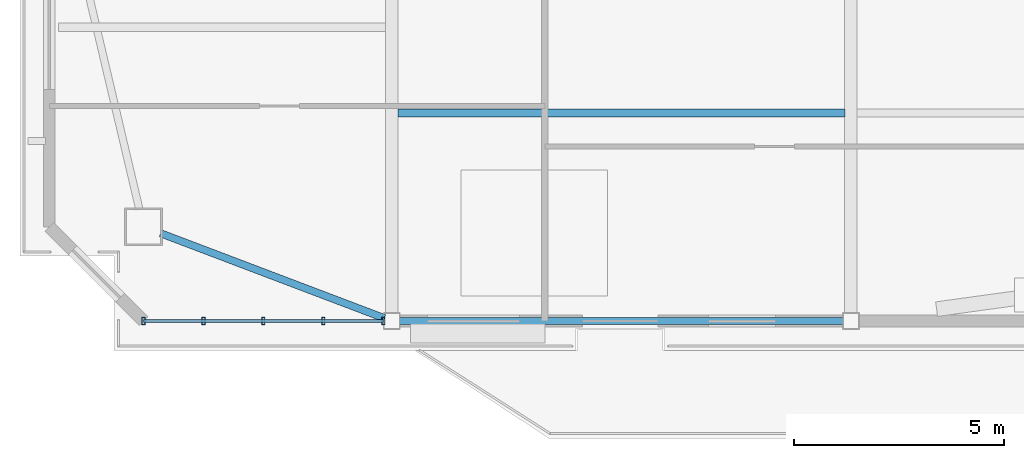
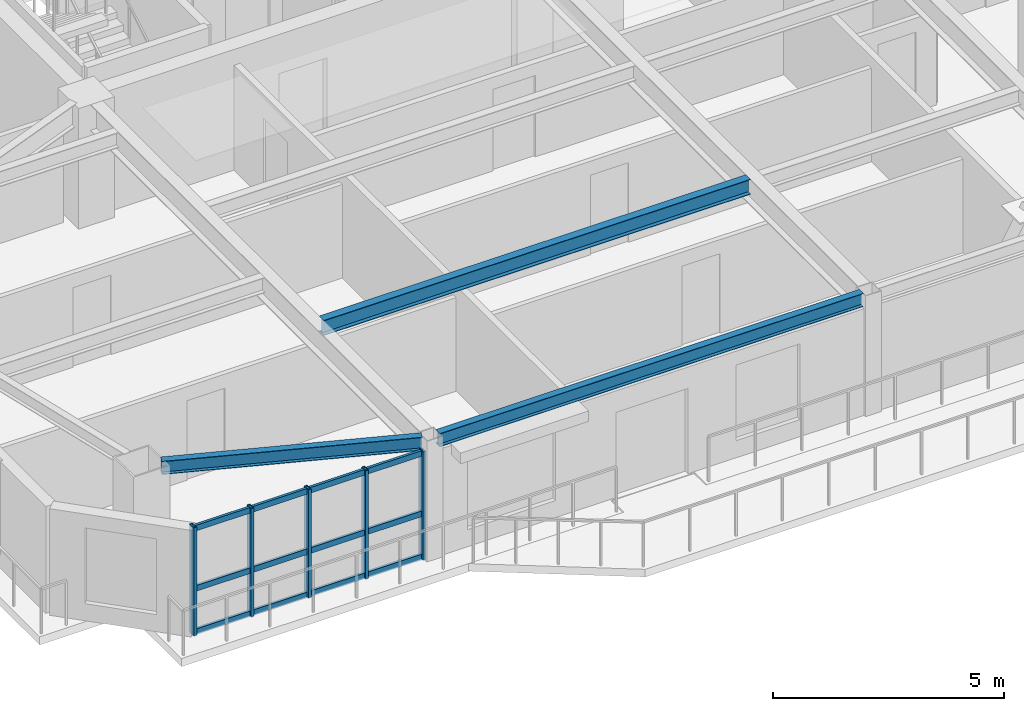
# One storey, part 2 of 12: 8 members, 3 beams, 1 element without a shape of its own.
"""IFC4 building model written with IfcOpenShell, lengths in metres."""

import ifcopenshell
import ifcopenshell.guid

model = None  # the IFC model being written
_history = None  # IfcOwnerHistory: only IFC2X3 demands one
_inside = {}  # id of a spatial element -> (the spatial element, [elements in it])
_under = {}  # id of a project, library or spatial element -> (it, [spatial elements below it])
_declared = {}  # id of a project -> (the project, [libraries it declares])
_typed = {}  # id of a type object -> (the type object, [elements of that type])
_made_of = {}  # id of a material, layer set ... -> (it, [elements and type objects made of it])


def new_model(schema):
    """Start an empty IFC model of exactly this schema.

    Asked for "IFC4X3", IfcOpenShell would pick the latest addendum, in which some entities
    have other attributes; the version numbers below select the first issue.
    IFC2X3 requires an IfcOwnerHistory on every rooted entity: one is made here for all.
    """
    global model, _history
    if schema == "IFC4X3":
        model = ifcopenshell.file(schema_version=(4, 3, 0, 0))
    else:
        model = ifcopenshell.file(schema=schema)
    _inside.clear()
    _under.clear()
    _declared.clear()
    _typed.clear()
    _made_of.clear()
    _history = None
    if model.schema == "IFC2X3":
        org = make("IfcOrganization", Name="unknown")
        user = make(
            "IfcPersonAndOrganization",
            ThePerson=make("IfcPerson", FamilyName="unknown"),
            TheOrganization=org,
        )
        app = make(
            "IfcApplication",
            ApplicationDeveloper=org,
            Version="unknown",
            ApplicationFullName="unknown",
            ApplicationIdentifier="unknown",
        )
        _history = make(
            "IfcOwnerHistory",
            OwningUser=user,
            OwningApplication=app,
            ChangeAction="ADDED",
            CreationDate=0,
        )
    return model


def make(cls, **values):
    """One entity of the class cls with the attributes given. An attribute that is None is left unset."""
    return model.create_entity(
        cls, **{name: value for name, value in values.items() if value is not None}
    )


def rooted(cls, **values):
    """An entity with a GlobalId (a new one), such as an element, a storey or a relation."""
    return make(cls, GlobalId=ifcopenshell.guid.new(), OwnerHistory=_history, **values)


def si_unit(unit_type, name, prefix=None):
    """IfcSIUnit, for example si_unit("LENGTHUNIT", "METRE", prefix="MILLI")."""
    return make("IfcSIUnit", UnitType=unit_type, Prefix=prefix, Name=name)


def assignment(units):
    """IfcUnitAssignment: the units of a project."""
    return None if units is None else make("IfcUnitAssignment", Units=units)


def point(xyz):
    """IfcCartesianPoint."""
    return None if xyz is None else make("IfcCartesianPoint", Coordinates=xyz)


def direction(xyz):
    """IfcDirection."""
    return None if xyz is None else make("IfcDirection", DirectionRatios=xyz)


def frame(location, z_axis=None, x_axis=None):
    """IfcAxis2Placement3D, a coordinate frame: its origin and axes. An axis left out is left unset."""
    return make(
        "IfcAxis2Placement3D",
        Location=point(location),
        Axis=direction(z_axis),
        RefDirection=direction(x_axis),
    )


def frame_2d(location, x_axis=None):
    """IfcAxis2Placement2D, a coordinate frame in the plane: its origin and x axis."""
    return make(
        "IfcAxis2Placement2D", Location=point(location), RefDirection=direction(x_axis)
    )


def origin():
    """The frame at (0, 0, 0) with its axes left unset."""
    return frame((0.0, 0.0, 0.0))


def origin_2d():
    """The frame at (0, 0) in the plane with its x axis left unset."""
    return frame_2d((0.0, 0.0))


def place(relative_to, where):
    """IfcLocalPlacement: puts the frame where relative to a parent placement (None: the world)."""
    return make(
        "IfcLocalPlacement", PlacementRelTo=relative_to, RelativePlacement=where
    )


def context(
    kind, dimensions, precision=None, world=None, true_north=None, identifier=None
):
    """IfcGeometricRepresentationContext, for example the 3D "Model" context."""
    return make(
        "IfcGeometricRepresentationContext",
        ContextIdentifier=identifier,
        ContextType=kind,
        CoordinateSpaceDimension=dimensions,
        Precision=precision,
        WorldCoordinateSystem=world,
        TrueNorth=true_north,
    )


def subcontext(parent, identifier, kind, view, scale=None):
    """IfcGeometricRepresentationSubContext, for example "Body" below "Model"."""
    return make(
        "IfcGeometricRepresentationSubContext",
        ContextIdentifier=identifier,
        ContextType=kind,
        ParentContext=parent,
        TargetScale=scale,
        TargetView=view,
    )


def project(units=None, contexts=None):
    """IfcProject with its units and contexts."""
    return rooted(
        "IfcProject",
        Name="project",
        RepresentationContexts=contexts,
        UnitsInContext=assignment(units),
    )


def spatial(cls, under=None, at=None, **own):
    """A site, building, storey or space (cls), placed at a placement, below another one or the project."""
    s = rooted(cls, ObjectPlacement=at, **own)
    if under is not None:
        _under.setdefault(under.id(), (under, []))[1].append(s)
    return s


def profile(cls, at=None, kind="AREA", **sizes):
    """A parametric profile (cls). Its sizes go by their IFC names, for example OverallWidth=200.0."""
    return make(cls, ProfileType=kind, Position=at, **sizes)


def hollow_rectangle(**sizes):
    """IfcRectangleHollowProfileDef."""
    return profile("IfcRectangleHollowProfileDef", **sizes)


def i_section(**sizes):
    """IfcIShapeProfileDef."""
    return profile("IfcIShapeProfileDef", **sizes)


def extrude(swept, where, along, depth):
    """IfcExtrudedAreaSolid: the profile swept, set in the frame where, extruded along a direction by depth."""
    return make(
        "IfcExtrudedAreaSolid",
        SweptArea=swept,
        Position=where,
        ExtrudedDirection=direction(along),
        Depth=depth,
    )


def shape(context_of_items, identifier, shape_type, items):
    """IfcShapeRepresentation: the items that make up one representation, for example the "Body"."""
    return make(
        "IfcShapeRepresentation",
        ContextOfItems=context_of_items,
        RepresentationIdentifier=identifier,
        RepresentationType=shape_type,
        Items=items,
    )


def source(mapping_origin, context_of_items, identifier, shape_type, items):
    """IfcRepresentationMap: a shape defined once, which mapped items show again and again."""
    return make(
        "IfcRepresentationMap",
        MappingOrigin=mapping_origin,
        MappedRepresentation=shape(context_of_items, identifier, shape_type, items),
    )


def transform(
    local_origin,
    x_axis=None,
    y_axis=None,
    z_axis=None,
    scale=None,
    scale2=None,
    scale3=None,
    uniform=True,
):
    """IfcCartesianTransformationOperator3D, or its non-uniform kind. x_axis, y_axis, z_axis: its Axis1, 2, 3."""
    if uniform:
        return make(
            "IfcCartesianTransformationOperator3D",
            Axis1=direction(x_axis),
            Axis2=direction(y_axis),
            LocalOrigin=point(local_origin),
            Scale=scale,
            Axis3=direction(z_axis),
        )
    return make(
        "IfcCartesianTransformationOperator3DnonUniform",
        Axis1=direction(x_axis),
        Axis2=direction(y_axis),
        LocalOrigin=point(local_origin),
        Scale=scale,
        Axis3=direction(z_axis),
        Scale2=scale2,
        Scale3=scale3,
    )


def mapped(mapping_source, mapping_target):
    """IfcMappedItem: shows the shape of a source again, moved by a transform."""
    return make(
        "IfcMappedItem", MappingSource=mapping_source, MappingTarget=mapping_target
    )


def material(Name=None, Category=None):
    """IfcMaterial."""
    return make("IfcMaterial", Name=Name, Category=Category)


def layer(
    of_material, thickness, ventilated=None, Name=None, Category=None, Priority=None
):
    """IfcMaterialLayer: one layer of a wall or slab, of a material (None: an air gap)."""
    return make(
        "IfcMaterialLayer",
        Material=of_material,
        LayerThickness=thickness,
        IsVentilated=ventilated,
        Name=Name,
        Category=Category,
        Priority=Priority,
    )


def layer_set(layers, Name=None):
    """IfcMaterialLayerSet."""
    return make("IfcMaterialLayerSet", MaterialLayers=layers, LayerSetName=Name)


def material_profile(
    of_material, cross_section, Name=None, Category=None, Priority=None
):
    """IfcMaterialProfile: a cross section and its material."""
    return make(
        "IfcMaterialProfile",
        Name=Name,
        Material=of_material,
        Profile=cross_section,
        Priority=Priority,
        Category=Category,
    )


def profile_set(profiles, Name=None, composite=None):
    """IfcMaterialProfileSet."""
    return make(
        "IfcMaterialProfileSet",
        Name=Name,
        MaterialProfiles=profiles,
        CompositeProfile=composite,
    )


def made_of(thing, what):
    """Note that an element or type object is made of a material, layer set ...; save() writes the relation."""
    if what is not None:
        _made_of.setdefault(what.id(), (what, []))[1].append(thing)
    return thing


def type_object(cls, material=None, **own):
    """A type object (cls), such as IfcWallType, which elements share."""
    return made_of(rooted(cls, **own), material)


def element(
    cls,
    number,
    at=None,
    inside=None,
    cuts=None,
    type_object=None,
    material=None,
    context=None,
    identifier="Body",
    shape_type=None,
    held_by="IfcProductDefinitionShape",
    body=None,
    shapes=None,
    **own,
):
    """One element of the class cls, such as IfcWall. Its Tag is "e" and its number.

    at: its placement. inside: the storey or other place that contains it. cuts: it is an
    opening in that element (IfcRelVoidsElement). A single representation is given by context,
    identifier, shape_type and body (its items); several are given by shapes. held_by: the class
    of the entity that holds the representations. save() writes the other relations.
    """
    e = rooted(cls, Tag="e%d" % number, ObjectPlacement=at, **own)
    if body is not None:
        shapes = [shape(context, identifier, shape_type, body)]
    if shapes is not None:
        e.Representation = make(held_by, Representations=shapes)
    if inside is not None:
        _inside.setdefault(inside.id(), (inside, []))[1].append(e)
    if cuts is not None:
        rooted(
            "IfcRelVoidsElement", RelatingBuildingElement=cuts, RelatedOpeningElement=e
        )
    if type_object is not None:
        _typed.setdefault(type_object.id(), (type_object, []))[1].append(e)
    return made_of(e, material)


def aggregate(whole, parts):
    """IfcRelAggregates: a whole, such as a stair, and the parts it consists of."""
    return rooted("IfcRelAggregates", RelatingObject=whole, RelatedObjects=parts)


def save(model, path):
    """Write the relations noted so far, then the file.

    IfcRelAggregates (storeys below a building ...), IfcRelContainedInSpatialStructure (elements
    in a storey), IfcRelDefinesByType, IfcRelAssociatesMaterial and IfcRelDeclares: one each for
    every whole, place, type object, material and project.
    """
    for whole, parts in _under.values():
        aggregate(whole, parts)
    for where, things in _inside.values():
        rooted(
            "IfcRelContainedInSpatialStructure",
            RelatedElements=things,
            RelatingStructure=where,
        )
    for kind, things in _typed.values():
        rooted("IfcRelDefinesByType", RelatedObjects=things, RelatingType=kind)
    for what, things in _made_of.values():
        rooted("IfcRelAssociatesMaterial", RelatedObjects=things, RelatingMaterial=what)
    for by, libraries in _declared.values():
        rooted("IfcRelDeclares", RelatingContext=by, RelatedDefinitions=libraries)
    model.write(path)


model = new_model("IFC4")

# Units and contexts
model_context = context("Model", 3, precision=1e-05, world=origin(), true_north=direction((0.0, 1.0)))
body_context = subcontext(model_context, "Body", "Model", "MODEL_VIEW")
ifc_project = project(units=[si_unit("LENGTHUNIT", "METRE"), si_unit("AREAUNIT", "SQUARE_METRE"), si_unit("VOLUMEUNIT", "CUBIC_METRE"), si_unit("PLANEANGLEUNIT", "RADIAN"), si_unit("MASSUNIT", "GRAM", prefix="KILO")], contexts=[model_context])

# Site, building, storey
site_placement = place(None, origin())
site = spatial("IfcSite", under=ifc_project, at=site_placement, CompositionType="ELEMENT")
building_placement = place(site_placement, origin())
building = spatial("IfcBuilding", under=site, at=building_placement, Name="Giltprow Tower", CompositionType="ELEMENT")
storey_placement = place(building_placement, frame((0.0, 0.0, 339.10009765625)))
storey = spatial("IfcBuildingStorey", under=building, at=storey_placement, Name="L88", CompositionType="ELEMENT", Elevation=339.10009765625)

# Beams
ifc_material_1 = material(Name="Structural steel Q355B", Category="steel")
ifc_material_profile_1 = material_profile(ifc_material_1, i_section(OverallWidth=0.199951171875, OverallDepth=0.39990234375, WebThickness=0.008056640625, FlangeThickness=0.012939453125, at=origin_2d()), Name="HN 400x200x8x13")
ifc_profile_set_1 = profile_set([ifc_material_profile_1], Name="Structural steel Q355B")
beam_type_1 = type_object("IfcBeamType", Name="BM-JOIST-HN400", PredefinedType="JOIST", material=ifc_profile_set_1)
shared_shape_1 = source(origin(), body_context, "Body", "SweptSolid", [
    extrude(i_section(OverallWidth=0.199951171875, OverallDepth=0.39990234375, WebThickness=0.008056640625, FlangeThickness=0.012939453125, at=origin_2d()), origin(), (0.0, 0.0, 1.0), 10.659912109375),
])
beam_1_placement = place(storey_placement, frame((19.9951171875, 27.529052734375, 2.98486328125), z_axis=(1.0, 0.0, 0.0), x_axis=(0.0, 1.0, 0.0)))
element("IfcBeam", 1, at=beam_1_placement, inside=storey, type_object=beam_type_1, Name="L88 Composite Floor Joist 1-1", PredefinedType="JOIST", context=body_context, shape_type="MappedRepresentation", body=[
    mapped(shared_shape_1, transform((0.0, 0.0, 0.0), x_axis=(1.0, 0.0, 0.0), y_axis=(0.0, 1.0, 0.0), z_axis=(0.0, 0.0, 1.0), scale=1.0)),
])
ifc_material_profile_2 = material_profile(ifc_material_1, i_section(OverallWidth=0.175048828125, OverallDepth=0.35009765625, WebThickness=0.007080078125, FlangeThickness=0.010986328125, at=origin_2d()), Name="HN 350x175x7x11")
ifc_profile_set_2 = profile_set([ifc_material_profile_2], Name="Structural steel Q355B")
beam_type_2 = type_object("IfcBeamType", Name="BM-SPAN-HN350", PredefinedType="SPANDREL", material=ifc_profile_set_2)
shared_shape_2 = source(origin(), body_context, "Body", "SweptSolid", [
    extrude(i_section(OverallWidth=0.175048828125, OverallDepth=0.35009765625, WebThickness=0.007080078125, FlangeThickness=0.010986328125, at=origin_2d()), origin(), (0.0, 0.0, 1.0), 10.580078125),
])
beam_2_placement = place(storey_placement, frame((20.034912109375, 22.568115234375, 3.010009765625), z_axis=(1.0, 0.0, 0.0), x_axis=(0.0, 1.0, 0.0)))
element("IfcBeam", 2, at=beam_2_placement, inside=storey, type_object=beam_type_2, Name="L88 Perimeter Spandrel Beam S1-S2", PredefinedType="SPANDREL", context=body_context, shape_type="MappedRepresentation", body=[
    mapped(shared_shape_2, transform((0.0, 0.0, 0.0), x_axis=(1.0, 0.0, 0.0), y_axis=(0.0, 1.0, 0.0), z_axis=(0.0, 0.0, 1.0), scale=1.0)),
])
shared_shape_3 = source(origin(), body_context, "Body", "SweptSolid", [
    extrude(i_section(OverallWidth=0.175048828125, OverallDepth=0.35009765625, WebThickness=0.007080078125, FlangeThickness=0.010986328125, at=origin_2d()), origin(), (0.0, 0.0, 1.0), 5.71044921875),
])
beam_3_placement = place(storey_placement, frame((14.337890625, 24.659912109375, 3.010009765625), z_axis=(0.934956945211, -0.354761202221, 0.0), x_axis=(0.354761202221, 0.934956945211, 0.0)))
element("IfcBeam", 3, at=beam_3_placement, inside=storey, type_object=beam_type_2, Name="L88 Perimeter Spandrel Beam MC_SW-S1", PredefinedType="SPANDREL", context=body_context, shape_type="MappedRepresentation", body=[
    mapped(shared_shape_3, transform((0.0, 0.0, 0.0), x_axis=(1.0, 0.0, 0.0), y_axis=(0.0, 1.0, 0.0), z_axis=(0.0, 0.0, 1.0), scale=1.0)),
])

# Curtain wall, members
ifc_material_2 = material(Name="Anodized bronze", Category="metal")
ifc_layer = layer(ifc_material_2, 0.179931640625, Name="Anodized bronze")
ifc_layer_set = layer_set([ifc_layer], Name="Anodized bronze")
curtain_wall_type = type_object("IfcCurtainWallType", Name="CW-RES-SKY", PredefinedType="NOTDEFINED", material=ifc_layer_set)
curtain_wall_placement = place(storey_placement, origin())
curtain_wall = element("IfcCurtainWall", 4, at=curtain_wall_placement, inside=storey, type_object=curtain_wall_type, Name="L88 South Recessed Curtain Wall 1", PredefinedType="NOTDEFINED")
ifc_material_profile_3 = material_profile(ifc_material_2, hollow_rectangle(XDim=0.074951171875, YDim=0.179931640625, WallThickness=0.008056640625, at=origin_2d()), Name="RHS 180x75x8")
ifc_profile_set_3 = profile_set([ifc_material_profile_3], Name="Anodized bronze")
member_type_1 = type_object("IfcMemberType", Name="CW-MULLION-180x75", PredefinedType="MULLION", material=ifc_profile_set_3)
shared_shape_4 = source(origin(), body_context, "Body", "SweptSolid", [
    extrude(hollow_rectangle(XDim=0.074951171875, YDim=0.179931640625, WallThickness=0.008056640625, at=origin_2d()), origin(), (0.0, 0.0, 1.0), 2.869873046875),
])
member_1_placement = place(storey_placement, frame((13.930908203125, 22.568115234375, -0.02001953125), z_axis=(0.0, 0.0, 1.0), x_axis=(1.0, 0.0, 0.0)))
member_1 = element("IfcMember", 5, at=member_1_placement, type_object=member_type_1, Name="L88 South Recessed Curtain Wall 1 Mullion 1", PredefinedType="MULLION", context=body_context, shape_type="MappedRepresentation", body=[
    mapped(shared_shape_4, transform((0.0, 0.0, 0.0), x_axis=(1.0, 0.0, 0.0), y_axis=(0.0, 1.0, 0.0), z_axis=(0.0, 0.0, 1.0), scale=1.0)),
])
member_2_placement = place(storey_placement, frame((15.361083984375, 22.568115234375, -0.02001953125), z_axis=(0.0, 0.0, 1.0), x_axis=(1.0, 0.0, 0.0)))
member_2 = element("IfcMember", 6, at=member_2_placement, type_object=member_type_1, Name="L88 South Recessed Curtain Wall 1 Mullion 2", PredefinedType="MULLION", context=body_context, shape_type="MappedRepresentation", body=[
    mapped(shared_shape_4, transform((0.0, 0.0, 0.0), x_axis=(1.0, 0.0, 0.0), y_axis=(0.0, 1.0, 0.0), z_axis=(0.0, 0.0, 1.0), scale=1.0)),
])
member_3_placement = place(storey_placement, frame((16.7900390625, 22.568115234375, -0.02001953125), z_axis=(0.0, 0.0, 1.0), x_axis=(1.0, 0.0, 0.0)))
member_3 = element("IfcMember", 7, at=member_3_placement, type_object=member_type_1, Name="L88 South Recessed Curtain Wall 1 Mullion 3", PredefinedType="MULLION", context=body_context, shape_type="MappedRepresentation", body=[
    mapped(shared_shape_4, transform((0.0, 0.0, 0.0), x_axis=(1.0, 0.0, 0.0), y_axis=(0.0, 1.0, 0.0), z_axis=(0.0, 0.0, 1.0), scale=1.0)),
])
member_4_placement = place(storey_placement, frame((18.219970703125, 22.568115234375, -0.02001953125), z_axis=(0.0, 0.0, 1.0), x_axis=(1.0, 0.0, 0.0)))
member_4 = element("IfcMember", 8, at=member_4_placement, type_object=member_type_1, Name="L88 South Recessed Curtain Wall 1 Mullion 4", PredefinedType="MULLION", context=body_context, shape_type="MappedRepresentation", body=[
    mapped(shared_shape_4, transform((0.0, 0.0, 0.0), x_axis=(1.0, 0.0, 0.0), y_axis=(0.0, 1.0, 0.0), z_axis=(0.0, 0.0, 1.0), scale=1.0)),
])
member_5_placement = place(storey_placement, frame((19.64990234375, 22.568115234375, -0.02001953125), z_axis=(0.0, 0.0, 1.0), x_axis=(1.0, 0.0, 0.0)))
member_5 = element("IfcMember", 9, at=member_5_placement, type_object=member_type_1, Name="L88 South Recessed Curtain Wall 1 Mullion 5", PredefinedType="MULLION", context=body_context, shape_type="MappedRepresentation", body=[
    mapped(shared_shape_4, transform((0.0, 0.0, 0.0), x_axis=(1.0, 0.0, 0.0), y_axis=(0.0, 1.0, 0.0), z_axis=(0.0, 0.0, 1.0), scale=1.0)),
])
ifc_material_profile_4 = material_profile(ifc_material_2, hollow_rectangle(XDim=0.06494140625, YDim=0.14990234375, WallThickness=0.006103515625, at=origin_2d()), Name="RHS 150x65x6")
ifc_profile_set_4 = profile_set([ifc_material_profile_4], Name="Anodized bronze")
member_type_2 = type_object("IfcMemberType", Name="CW-TRANSOM-150x65", PredefinedType="USERDEFINED", material=ifc_profile_set_4)
shared_shape_5 = source(origin(), body_context, "Body", "SweptSolid", [
    extrude(hollow_rectangle(XDim=0.06494140625, YDim=0.14990234375, WallThickness=0.006103515625, at=origin_2d()), origin(), (0.0, 0.0, 1.0), 5.718994140625),
])
member_6_placement = place(storey_placement, frame((13.930908203125, 22.568115234375, 0.039794921875), z_axis=(1.0, 0.0, 0.0), x_axis=(0.0, 1.0, 0.0)))
member_6 = element("IfcMember", 10, at=member_6_placement, type_object=member_type_2, Name="L88 South Recessed Curtain Wall 1 Transom 1", ObjectType="TRANSOM", PredefinedType="USERDEFINED", context=body_context, shape_type="MappedRepresentation", body=[
    mapped(shared_shape_5, transform((0.0, 0.0, 0.0), x_axis=(1.0, 0.0, 0.0), y_axis=(0.0, 1.0, 0.0), z_axis=(0.0, 0.0, 1.0), scale=1.0)),
])
member_7_placement = place(storey_placement, frame((13.930908203125, 22.568115234375, 1.181884765625), z_axis=(1.0, 0.0, 0.0), x_axis=(0.0, 1.0, 0.0)))
member_7 = element("IfcMember", 11, at=member_7_placement, type_object=member_type_2, Name="L88 South Recessed Curtain Wall 1 Transom 2", ObjectType="TRANSOM", PredefinedType="USERDEFINED", context=body_context, shape_type="MappedRepresentation", body=[
    mapped(shared_shape_5, transform((0.0, 0.0, 0.0), x_axis=(1.0, 0.0, 0.0), y_axis=(0.0, 1.0, 0.0), z_axis=(0.0, 0.0, 1.0), scale=1.0)),
])
member_8_placement = place(storey_placement, frame((13.930908203125, 22.568115234375, 2.77490234375), z_axis=(1.0, 0.0, 0.0), x_axis=(0.0, 1.0, 0.0)))
member_8 = element("IfcMember", 12, at=member_8_placement, type_object=member_type_2, Name="L88 South Recessed Curtain Wall 1 Transom 3", ObjectType="TRANSOM", PredefinedType="USERDEFINED", context=body_context, shape_type="MappedRepresentation", body=[
    mapped(shared_shape_5, transform((0.0, 0.0, 0.0), x_axis=(1.0, 0.0, 0.0), y_axis=(0.0, 1.0, 0.0), z_axis=(0.0, 0.0, 1.0), scale=1.0)),
])
aggregate(curtain_wall, [member_1, member_2, member_3, member_4, member_5, member_6, member_7, member_8])

save(model, "model.ifc")
